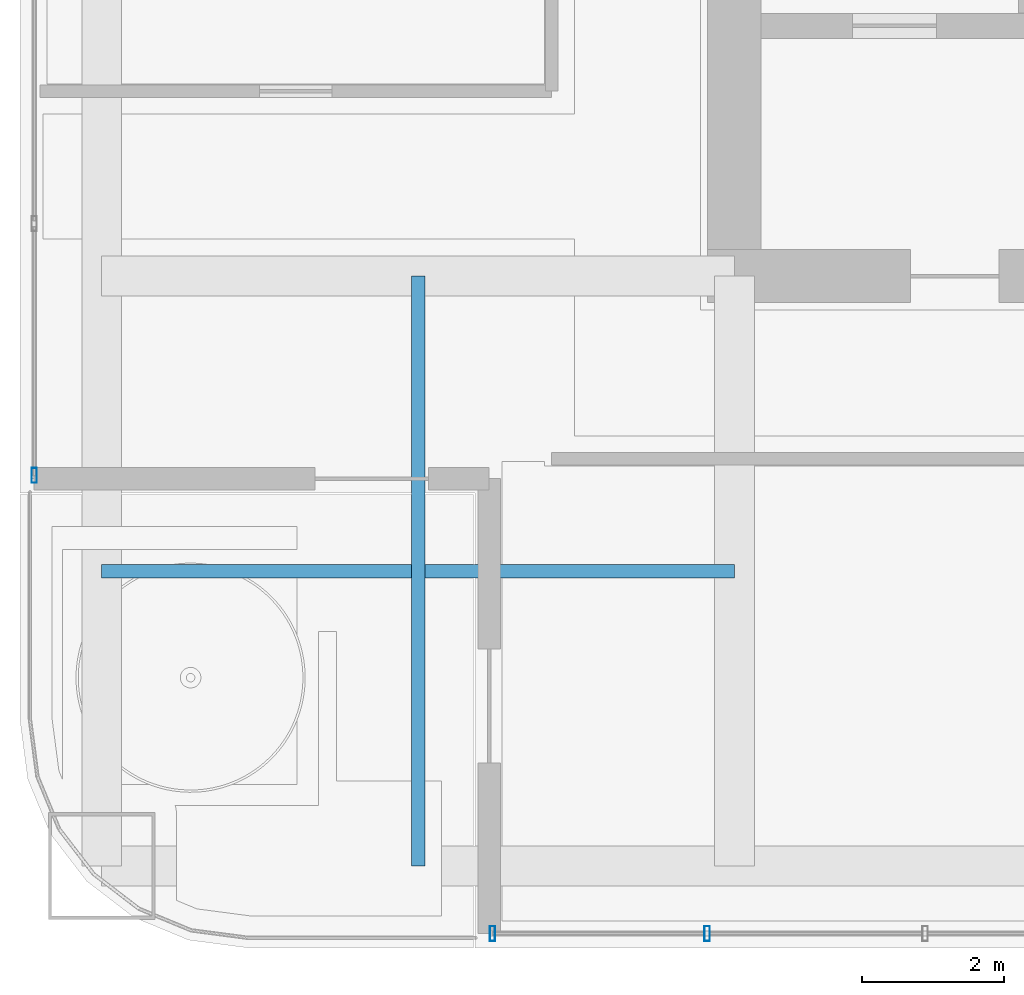
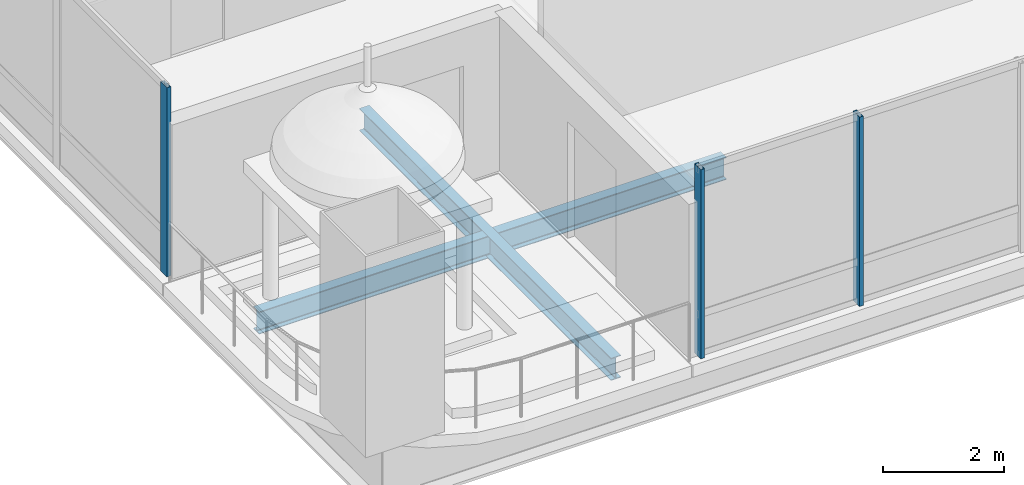
# One storey, part 2 of 37: 3 members, 2 beams, 2 elements without a shape of their own.
"""IFC4 building model written with IfcOpenShell, lengths in metres."""

from ifc_helpers import new_model, si_unit, direction, frame, origin, origin_2d, place, context, subcontext, project, spatial, hollow_rectangle, i_section, extrude, material, material_profile, profile_set, type_object, element, aggregate, save


model = new_model("IFC4")

# Units and contexts
model_context = context("Model", 3, precision=1e-05, world=origin(), true_north=direction((0.0, 1.0)))
body_context = subcontext(model_context, "Body", "Model", "MODEL_VIEW")
ifc_project = project(units=[si_unit("LENGTHUNIT", "METRE"), si_unit("AREAUNIT", "SQUARE_METRE"), si_unit("VOLUMEUNIT", "CUBIC_METRE"), si_unit("PLANEANGLEUNIT", "RADIAN"), si_unit("MASSUNIT", "GRAM", prefix="KILO")], contexts=[model_context])

# Site, building, storey
site_placement = place(None, origin())
site = spatial("IfcSite", under=ifc_project, at=site_placement, CompositionType="ELEMENT")
building_placement = place(site_placement, origin())
building = spatial("IfcBuilding", under=site, at=building_placement, Name="Punatoya Terracotta Tower", CompositionType="ELEMENT")
storey_placement = place(building_placement, frame((0.0, 0.0, 109.199951171875)))
storey = spatial("IfcBuildingStorey", under=building, at=storey_placement, Name="L25", CompositionType="ELEMENT", Elevation=109.199951171875)

# Beams
ifc_material_1 = material(Name="Steel S355", Category="steel")
ifc_material_profile_1 = material_profile(ifc_material_1, i_section(OverallWidth=0.18994140625, OverallDepth=0.449951171875, WebThickness=0.009521484375, FlangeThickness=0.0146484375, FilletRadius=0.01806640625, at=origin_2d()))
ifc_profile_set_1 = profile_set([ifc_material_profile_1], Name="Steel S355")
beam_type = type_object("IfcBeamType", Name="BM-SEC-450", PredefinedType="JOIST", material=ifc_profile_set_1)
beam_1_placement = place(storey_placement, frame((-19.10009765625, -13.35009765625, -0.46484375), z_axis=(1.0, 0.0, 0.0), x_axis=(0.0, 1.0, 0.0)))
element("IfcBeam", 1, at=beam_1_placement, inside=storey, type_object=beam_type, Name="BM-L25-SJS-1", PredefinedType="JOIST", context=body_context, shape_type="SweptSolid", body=[
    extrude(i_section(OverallWidth=0.18994140625, OverallDepth=0.449951171875, WebThickness=0.009521484375, FlangeThickness=0.0146484375, FilletRadius=0.01806640625, at=origin_2d()), origin(), (0.0, 0.0, 1.0), 8.900146484375),
])
beam_2_placement = place(storey_placement, frame((-14.64990234375, -17.5, -0.46484375), z_axis=(0.0, 1.0, 0.0), x_axis=(-1.0, 0.0, 0.0)))
element("IfcBeam", 2, at=beam_2_placement, inside=storey, type_object=beam_type, Name="BM-L25-SJW-1", PredefinedType="JOIST", context=body_context, shape_type="SweptSolid", body=[
    extrude(i_section(OverallWidth=0.18994140625, OverallDepth=0.449951171875, WebThickness=0.009521484375, FlangeThickness=0.0146484375, FilletRadius=0.01806640625, at=origin_2d()), origin(), (0.0, 0.0, 1.0), 8.300048828125),
])

# Curtain wall, members
ifc_material_2 = material(Name="Aluminium 6063-T6 + Double Low-E Glass", Category="aluminium")
curtain_wall_type = type_object("IfcCurtainWallType", Name="CW-M1", PredefinedType="NOTDEFINED", material=ifc_material_2)
curtain_wall_1_placement = place(storey_placement, origin())
curtain_wall_1 = element("IfcCurtainWall", 3, at=curtain_wall_1_placement, inside=storey, type_object=curtain_wall_type, Name="L25 Curtain Wall CW-L25-S01-1", PredefinedType="NOTDEFINED")
ifc_material_3 = material(Name="Aluminium 6063-T6", Category="aluminium")
ifc_material_profile_2 = material_profile(ifc_material_3, hollow_rectangle(XDim=0.074951171875, YDim=0.2099609375, WallThickness=0.00439453125, at=origin_2d()))
ifc_profile_set_2 = profile_set([ifc_material_profile_2], Name="Aluminium 6063-T6")
member_type = type_object("IfcMemberType", Name="CW-MUL-M1", PredefinedType="MULLION", material=ifc_profile_set_2)
member_1_placement = place(storey_placement, frame((-13.60498046875, -18.449951171875, 0.0), z_axis=(0.0, 0.0, 1.0), x_axis=(1.0, 0.0, 0.0)))
member_1 = element("IfcMember", 4, at=member_1_placement, type_object=member_type, Name="CW-L25-S01-1 Mullion 00", PredefinedType="MULLION", context=body_context, shape_type="SweptSolid", body=[
    extrude(hollow_rectangle(XDim=0.074951171875, YDim=0.2099609375, WallThickness=0.00439453125, at=origin_2d()), origin(), (0.0, 0.0, 1.0), 3.81005859375),
])
member_2_placement = place(storey_placement, frame((-10.583251953125, -18.449951171875, 0.0), z_axis=(0.0, 0.0, 1.0), x_axis=(1.0, 0.0, 0.0)))
member_2 = element("IfcMember", 5, at=member_2_placement, type_object=member_type, Name="CW-L25-S01-1 Mullion 01", PredefinedType="MULLION", context=body_context, shape_type="SweptSolid", body=[
    extrude(hollow_rectangle(XDim=0.074951171875, YDim=0.2099609375, WallThickness=0.00439453125, at=origin_2d()), origin(), (0.0, 0.0, 1.0), 3.81005859375),
])
aggregate(curtain_wall_1, [member_1, member_2])

# Curtain wall, member
curtain_wall_2_placement = place(storey_placement, origin())
curtain_wall_2 = element("IfcCurtainWall", 6, at=curtain_wall_2_placement, inside=storey, type_object=curtain_wall_type, Name="L25 Curtain Wall CW-L25-W12-1", PredefinedType="NOTDEFINED")
member_3_placement = place(storey_placement, frame((-20.050048828125, -12.0048828125, 0.0), z_axis=(0.0, 0.0, 1.0), x_axis=(1.0, 0.0, 0.0)))
member_3 = element("IfcMember", 7, at=member_3_placement, type_object=member_type, Name="CW-L25-W12-1 Mullion 09", PredefinedType="MULLION", context=body_context, shape_type="SweptSolid", body=[
    extrude(hollow_rectangle(XDim=0.074951171875, YDim=0.2099609375, WallThickness=0.00439453125, at=origin_2d()), origin(), (0.0, 0.0, 1.0), 3.81005859375),
])
aggregate(curtain_wall_2, [member_3])

save(model, "model.ifc")
